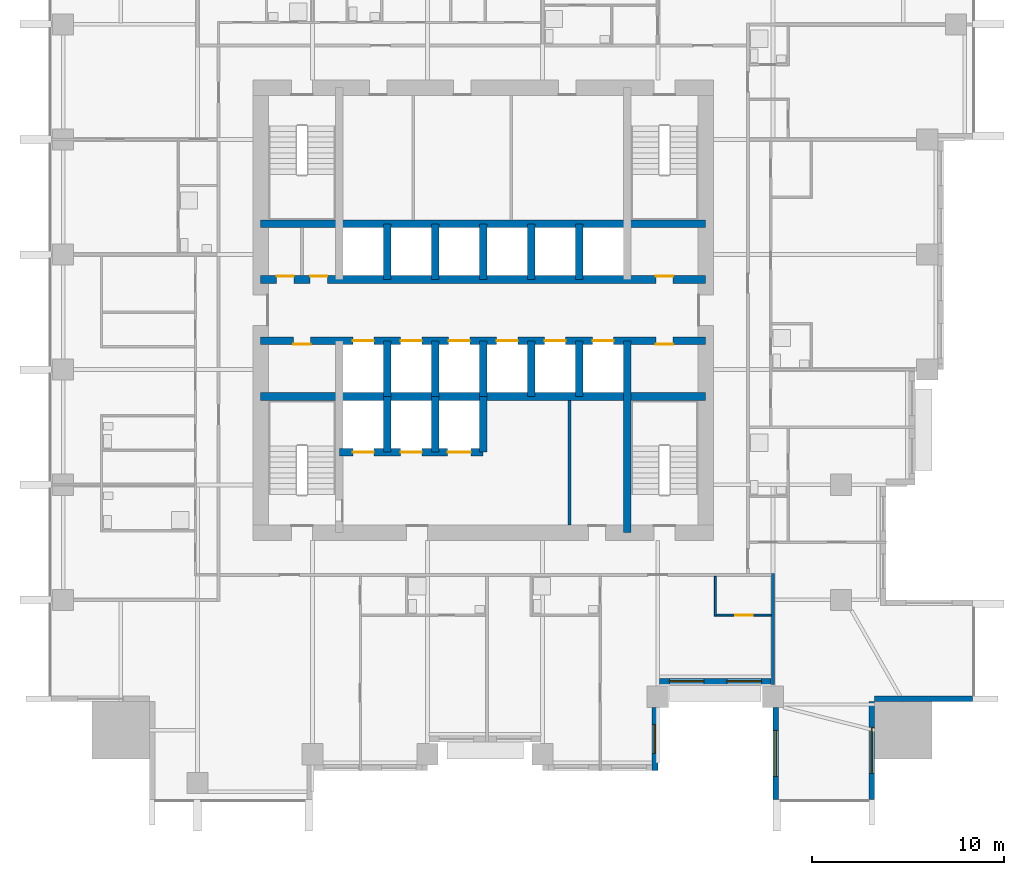
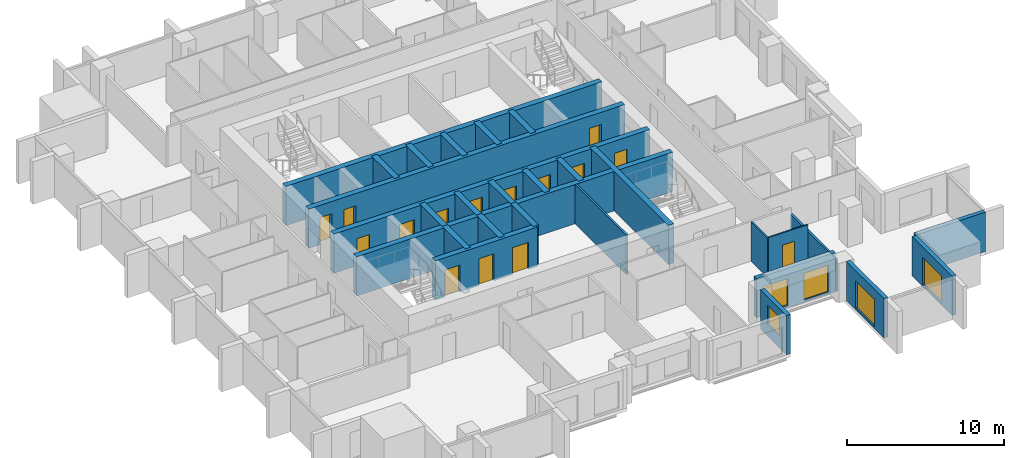
# One storey, part 5 of 10: 28 walls, 15 doors, 5 windows, 20 openings.
"""IFC4 building model written with IfcOpenShell, lengths in metres."""

from ifc_helpers import new_model, si_unit, direction, frame, frame_2d, origin, place, context, subcontext, project, spatial, rectangle, extrude, material, layer, layer_set, type_object, element, fill, save


model = new_model("IFC4")

# Units and contexts
model_context = context("Model", 3, precision=1e-05, world=origin(), true_north=direction((0.0, 1.0)))
body_context = subcontext(model_context, "Body", "Model", "MODEL_VIEW")
ifc_project = project(units=[si_unit("LENGTHUNIT", "METRE"), si_unit("AREAUNIT", "SQUARE_METRE"), si_unit("VOLUMEUNIT", "CUBIC_METRE"), si_unit("PLANEANGLEUNIT", "RADIAN"), si_unit("MASSUNIT", "GRAM", prefix="KILO")], contexts=[model_context])

# Site, building, storey
site_placement = place(None, origin())
site = spatial("IfcSite", under=ifc_project, at=site_placement, CompositionType="ELEMENT")
building_placement = place(site_placement, origin())
building = spatial("IfcBuilding", under=site, at=building_placement, Name="Amberfall Residences", CompositionType="ELEMENT")
storey_placement = place(building_placement, frame((0.0, 0.0, 118.300048828125)))
storey = spatial("IfcBuildingStorey", under=building, at=storey_placement, Name="L32", CompositionType="ELEMENT", Elevation=118.300048828125)

# Wall, opening, window
ifc_material_1 = material(Name="Pale stone cladding on insulated backing", Category="masonry")
ifc_layer_1 = layer(ifc_material_1, 0.300048828125)
ifc_layer_set_1 = layer_set([ifc_layer_1], Name="Bronze clad wall 300")
wall_type_1 = type_object("IfcWallType", Name="Bronze clad wall 300", PredefinedType="SOLIDWALL", material=ifc_layer_set_1)
wall_1_placement = place(storey_placement, frame((83.449951171875, 21.5, 0.0), z_axis=(0.0, 0.0, 1.0), x_axis=(0.0, 1.0, 0.0)))
wall_1 = element("IfcWall", 1, at=wall_1_placement, inside=storey, type_object=wall_type_1, Name="External wall L32 S", PredefinedType="SOLIDWALL", context=body_context, shape_type="SweptSolid", body=[
    extrude(rectangle(XDim=3.300048828125, YDim=0.300048828125, at=frame_2d((1.64990234375, 0.0))), origin(), (0.0, 0.0, 1.0), 3.050048828125),
])
opening_1_placement = place(wall_1_placement, frame((0.89990234375, 0.0, 0.89990234375)))
opening_1 = element("IfcOpeningElement", 2, at=opening_1_placement, cuts=wall_1, Name="Opening WN1", PredefinedType="OPENING", context=body_context, shape_type="SweptSolid", body=[
    extrude(rectangle(XDim=1.5, YDim=1.5, at=frame_2d((0.75, 0.75))), frame((0.0, 0.159912109375, 0.0), z_axis=(0.0, -1.0, 0.0), x_axis=(1.0, 0.0, 0.0)), (0.0, 0.0, 1.0), 0.320068359375),
])
ifc_material_2 = material(Name="Bronze aluminium framed glazing", Category="aluminium")
window_type_1 = type_object("IfcWindowType", Name="Window 1500 x 1500 bronze", PartitioningType="DOUBLE_PANEL_VERTICAL", PredefinedType="WINDOW", material=ifc_material_2)
window_1_placement = place(opening_1_placement, origin())
window_1 = element("IfcWindow", 3, at=window_1_placement, inside=storey, type_object=window_type_1, Name="Window L32 S", OverallHeight=1.5, OverallWidth=1.5, PartitioningType="DOUBLE_PANEL_VERTICAL", PredefinedType="WINDOW", context=body_context, shape_type="SweptSolid", body=[
    extrude(rectangle(XDim=1.5, YDim=1.5, at=frame_2d((0.75, 0.75))), frame((0.0, 0.030029296875, 0.0), z_axis=(0.0, -1.0, 0.0), x_axis=(1.0, 0.0, 0.0)), (0.0, 0.0, 1.0), 0.06005859375),
])
fill(opening_1, window_1)

wall_2_placement = place(storey_placement, frame((89.75, 24.800048828125, 0.0), z_axis=(0.0, 0.0, 1.0), x_axis=(0.0, -1.0, 0.0)))
wall_2 = element("IfcWall", 4, at=wall_2_placement, inside=storey, type_object=wall_type_1, Name="External wall L32 S", PredefinedType="SOLIDWALL", context=body_context, shape_type="SweptSolid", body=[
    extrude(rectangle(XDim=4.800048828125, YDim=0.300048828125, at=frame_2d((2.39990234375, 0.0))), origin(), (0.0, 0.0, 1.0), 3.050048828125),
])
opening_2_placement = place(wall_2_placement, frame((1.199951171875, 0.0, 0.14990234375)))
opening_2 = element("IfcOpeningElement", 5, at=opening_2_placement, cuts=wall_2, Name="Opening WN5", PredefinedType="OPENING", context=body_context, shape_type="SweptSolid", body=[
    extrude(rectangle(XDim=2.39990234375, YDim=2.10009765625, at=frame_2d((1.199951171875, 1.050048828125))), frame((0.0, 0.159912109375, 0.0), z_axis=(0.0, -1.0, 0.0), x_axis=(1.0, 0.0, 0.0)), (0.0, 0.0, 1.0), 0.320068359375),
])
window_type_2 = type_object("IfcWindowType", Name="Glazed opening 2400 x 2100 bronze", PartitioningType="DOUBLE_PANEL_VERTICAL", PredefinedType="WINDOW", material=ifc_material_2)
window_2_placement = place(opening_2_placement, origin())
window_2 = element("IfcWindow", 6, at=window_2_placement, inside=storey, type_object=window_type_2, Name="Window L32 S", OverallHeight=2.10009765625, OverallWidth=2.39990234375, PartitioningType="DOUBLE_PANEL_VERTICAL", PredefinedType="WINDOW", context=body_context, shape_type="SweptSolid", body=[
    extrude(rectangle(XDim=2.39990234375, YDim=2.10009765625, at=frame_2d((1.199951171875, 1.050048828125))), frame((0.0, 0.030029296875, 0.0), z_axis=(0.0, -1.0, 0.0), x_axis=(1.0, 0.0, 0.0)), (0.0, 0.0, 1.0), 0.06005859375),
])
fill(opening_2, window_2)

wall_3_placement = place(storey_placement, frame((94.75, 20.0, 0.0), z_axis=(0.0, 0.0, 1.0), x_axis=(0.0, 1.0, 0.0)))
wall_3 = element("IfcWall", 7, at=wall_3_placement, inside=storey, type_object=wall_type_1, Name="External wall L32 SE", PredefinedType="SOLIDWALL", context=body_context, shape_type="SweptSolid", body=[
    extrude(rectangle(XDim=5.10009765625, YDim=0.300048828125, at=frame_2d((2.550048828125, 0.0))), origin(), (0.0, 0.0, 1.0), 3.050048828125),
])
opening_3_placement = place(wall_3_placement, frame((1.35009765625, 0.0, 0.14990234375)))
opening_3 = element("IfcOpeningElement", 8, at=opening_3_placement, cuts=wall_3, Name="Opening WN5", PredefinedType="OPENING", context=body_context, shape_type="SweptSolid", body=[
    extrude(rectangle(XDim=2.39990234375, YDim=2.10009765625, at=frame_2d((1.199951171875, 1.050048828125))), frame((0.0, 0.159912109375, 0.0), z_axis=(0.0, -1.0, 0.0), x_axis=(1.0, 0.0, 0.0)), (0.0, 0.0, 1.0), 0.320068359375),
])
window_3_placement = place(opening_3_placement, origin())
window_3 = element("IfcWindow", 9, at=window_3_placement, inside=storey, type_object=window_type_2, Name="Window L32 SE", OverallHeight=2.10009765625, OverallWidth=2.39990234375, PartitioningType="DOUBLE_PANEL_VERTICAL", PredefinedType="WINDOW", context=body_context, shape_type="SweptSolid", body=[
    extrude(rectangle(XDim=2.39990234375, YDim=2.10009765625, at=frame_2d((1.199951171875, 1.050048828125))), frame((0.0, 0.030029296875, 0.0), z_axis=(0.0, -1.0, 0.0), x_axis=(1.0, 0.0, 0.0)), (0.0, 0.0, 1.0), 0.06005859375),
])
fill(opening_3, window_3)

# Wall
wall_4_placement = place(storey_placement, frame((94.89990234375, 25.25, 0.0), z_axis=(0.0, 0.0, 1.0), x_axis=(1.0, 0.0, 0.0)))
element("IfcWall", 10, at=wall_4_placement, inside=storey, type_object=wall_type_1, Name="External wall L32 SE", PredefinedType="SOLIDWALL", context=body_context, shape_type="SweptSolid", body=[
    extrude(rectangle(XDim=5.10009765625, YDim=0.300048828125, at=frame_2d((2.550048828125, 0.0))), origin(), (0.0, 0.0, 1.0), 3.050048828125),
])

# Wall, openings, windows
wall_5_placement = place(storey_placement, frame((83.699951171875, 26.14990234375, 0.0), z_axis=(0.0, 0.0, 1.0), x_axis=(1.0, 0.0, 0.0)))
wall_5 = element("IfcWall", 11, at=wall_5_placement, inside=storey, type_object=wall_type_1, Name="Stone wall L32 S", PredefinedType="SOLIDWALL", context=body_context, shape_type="SweptSolid", body=[
    extrude(rectangle(XDim=5.7900390625, YDim=0.300048828125, at=frame_2d((2.89501953125, 0.0))), origin(), (0.0, 0.0, 1.0), 3.050048828125),
])
opening_4_placement = place(wall_5_placement, frame((0.5, 0.0, 0.14990234375)))
opening_4 = element("IfcOpeningElement", 12, at=opening_4_placement, cuts=wall_5, Name="Opening WN6", PredefinedType="OPENING", context=body_context, shape_type="SweptSolid", body=[
    extrude(rectangle(XDim=1.800048828125, YDim=2.10009765625, at=frame_2d((0.89990234375, 1.050048828125))), frame((0.0, 0.159912109375, 0.0), z_axis=(0.0, -1.0, 0.0), x_axis=(1.0, 0.0, 0.0)), (0.0, 0.0, 1.0), 0.320068359375),
])
opening_5_placement = place(wall_5_placement, frame((3.5, 0.0, 0.14990234375)))
opening_5 = element("IfcOpeningElement", 13, at=opening_5_placement, cuts=wall_5, Name="Opening WN6", PredefinedType="OPENING", context=body_context, shape_type="SweptSolid", body=[
    extrude(rectangle(XDim=1.800048828125, YDim=2.10009765625, at=frame_2d((0.89990234375, 1.050048828125))), frame((0.0, 0.159912109375, 0.0), z_axis=(0.0, -1.0, 0.0), x_axis=(1.0, 0.0, 0.0)), (0.0, 0.0, 1.0), 0.320068359375),
])
window_type_3 = type_object("IfcWindowType", Name="Glazed opening 1800 x 2100 bronze", PartitioningType="DOUBLE_PANEL_VERTICAL", PredefinedType="WINDOW", material=ifc_material_2)
window_4_placement = place(opening_4_placement, origin())
window_4 = element("IfcWindow", 14, at=window_4_placement, inside=storey, type_object=window_type_3, Name="Window L32 S", OverallHeight=2.10009765625, OverallWidth=1.800048828125, PartitioningType="DOUBLE_PANEL_VERTICAL", PredefinedType="WINDOW", context=body_context, shape_type="SweptSolid", body=[
    extrude(rectangle(XDim=1.800048828125, YDim=2.10009765625, at=frame_2d((0.89990234375, 1.050048828125))), frame((0.0, 0.030029296875, 0.0), z_axis=(0.0, -1.0, 0.0), x_axis=(1.0, 0.0, 0.0)), (0.0, 0.0, 1.0), 0.06005859375),
])
fill(opening_4, window_4)
window_5_placement = place(opening_5_placement, origin())
window_5 = element("IfcWindow", 15, at=window_5_placement, inside=storey, type_object=window_type_3, Name="Window L32 S", OverallHeight=2.10009765625, OverallWidth=1.800048828125, PartitioningType="DOUBLE_PANEL_VERTICAL", PredefinedType="WINDOW", context=body_context, shape_type="SweptSolid", body=[
    extrude(rectangle(XDim=1.800048828125, YDim=2.10009765625, at=frame_2d((0.89990234375, 1.050048828125))), frame((0.0, 0.030029296875, 0.0), z_axis=(0.0, -1.0, 0.0), x_axis=(1.0, 0.0, 0.0)), (0.0, 0.0, 1.0), 0.06005859375),
])
fill(opening_5, window_5)

# Wall
ifc_material_3 = material(Name="Concrete C70", Category="concrete")
ifc_layer_2 = layer(ifc_material_3, 0.39990234375)
ifc_layer_set_2 = layer_set([ifc_layer_2], Name="Core wall 400 C70")
wall_type_2 = type_object("IfcWallType", Name="Core wall 400 C70", PredefinedType="SHEAR", material=ifc_layer_set_2)
wall_6_placement = place(storey_placement, frame((62.89990234375, 41.0, 0.0), z_axis=(0.0, 0.0, 1.0), x_axis=(1.0, 0.0, 0.0)))
element("IfcWall", 16, at=wall_6_placement, inside=storey, type_object=wall_type_2, Name="Core wall RW4 L32 H75", PredefinedType="SHEAR", context=body_context, shape_type="SweptSolid", body=[
    extrude(rectangle(XDim=23.2001953125, YDim=0.39990234375, at=frame_2d((11.60009765625, 0.0))), origin(), (0.0, 0.0, 1.0), 3.050048828125),
])

# Wall, openings, doors
wall_7_placement = place(storey_placement, frame((62.89990234375, 43.89990234375, 0.0), z_axis=(0.0, 0.0, 1.0), x_axis=(1.0, 0.0, 0.0)))
wall_7 = element("IfcWall", 17, at=wall_7_placement, inside=storey, type_object=wall_type_2, Name="Core wall RW4 L32 H104", PredefinedType="SHEAR", context=body_context, shape_type="SweptSolid", body=[
    extrude(rectangle(XDim=23.2001953125, YDim=0.39990234375, at=frame_2d((11.60009765625, 0.0))), origin(), (0.0, 0.0, 1.0), 3.050048828125),
])
opening_6_placement = place(wall_7_placement, frame((1.699951171875, 0.0, 0.0)))
opening_6 = element("IfcOpeningElement", 18, at=opening_6_placement, cuts=wall_7, Name="Opening RD1", PredefinedType="OPENING", context=body_context, shape_type="SweptSolid", body=[
    extrude(rectangle(XDim=0.89990234375, YDim=2.10009765625, at=frame_2d((0.449951171875, 1.050048828125))), frame((0.0, 0.2099609375, 0.0), z_axis=(0.0, -1.0, 0.0), x_axis=(1.0, 0.0, 0.0)), (0.0, 0.0, 1.0), 0.419921875),
])
opening_7_placement = place(wall_7_placement, frame((20.60009765625, 0.0, 0.0)))
opening_7 = element("IfcOpeningElement", 19, at=opening_7_placement, cuts=wall_7, Name="Opening RD1", PredefinedType="OPENING", context=body_context, shape_type="SweptSolid", body=[
    extrude(rectangle(XDim=0.89990234375, YDim=2.10009765625, at=frame_2d((0.449951171875, 1.050048828125))), frame((0.0, 0.2099609375, 0.0), z_axis=(0.0, -1.0, 0.0), x_axis=(1.0, 0.0, 0.0)), (0.0, 0.0, 1.0), 0.419921875),
])
opening_8_placement = place(wall_7_placement, frame((4.800048828125, 0.0, 0.0)))
opening_8 = element("IfcOpeningElement", 20, at=opening_8_placement, cuts=wall_7, Name="Opening LD1", PredefinedType="OPENING", context=body_context, shape_type="SweptSolid", body=[
    extrude(rectangle(XDim=1.10009765625, YDim=2.10009765625, at=frame_2d((0.550048828125, 1.050048828125))), frame((0.0, 0.2099609375, 0.0), z_axis=(0.0, -1.0, 0.0), x_axis=(1.0, 0.0, 0.0)), (0.0, 0.0, 1.0), 0.419921875),
])
opening_9_placement = place(wall_7_placement, frame((7.300048828125, 0.0, 0.0)))
opening_9 = element("IfcOpeningElement", 21, at=opening_9_placement, cuts=wall_7, Name="Opening LD1", PredefinedType="OPENING", context=body_context, shape_type="SweptSolid", body=[
    extrude(rectangle(XDim=1.10009765625, YDim=2.10009765625, at=frame_2d((0.550048828125, 1.050048828125))), frame((0.0, 0.2099609375, 0.0), z_axis=(0.0, -1.0, 0.0), x_axis=(1.0, 0.0, 0.0)), (0.0, 0.0, 1.0), 0.419921875),
])
opening_10_placement = place(wall_7_placement, frame((9.800048828125, 0.0, 0.0)))
opening_10 = element("IfcOpeningElement", 22, at=opening_10_placement, cuts=wall_7, Name="Opening LD1", PredefinedType="OPENING", context=body_context, shape_type="SweptSolid", body=[
    extrude(rectangle(XDim=1.10009765625, YDim=2.10009765625, at=frame_2d((0.550048828125, 1.050048828125))), frame((0.0, 0.2099609375, 0.0), z_axis=(0.0, -1.0, 0.0), x_axis=(1.0, 0.0, 0.0)), (0.0, 0.0, 1.0), 0.419921875),
])
opening_11_placement = place(wall_7_placement, frame((12.300048828125, 0.0, 0.0)))
opening_11 = element("IfcOpeningElement", 23, at=opening_11_placement, cuts=wall_7, Name="Opening LD1", PredefinedType="OPENING", context=body_context, shape_type="SweptSolid", body=[
    extrude(rectangle(XDim=1.10009765625, YDim=2.10009765625, at=frame_2d((0.550048828125, 1.050048828125))), frame((0.0, 0.2099609375, 0.0), z_axis=(0.0, -1.0, 0.0), x_axis=(1.0, 0.0, 0.0)), (0.0, 0.0, 1.0), 0.419921875),
])
opening_12_placement = place(wall_7_placement, frame((14.800048828125, 0.0, 0.0)))
opening_12 = element("IfcOpeningElement", 24, at=opening_12_placement, cuts=wall_7, Name="Opening LD1", PredefinedType="OPENING", context=body_context, shape_type="SweptSolid", body=[
    extrude(rectangle(XDim=1.10009765625, YDim=2.10009765625, at=frame_2d((0.550048828125, 1.050048828125))), frame((0.0, 0.2099609375, 0.0), z_axis=(0.0, -1.0, 0.0), x_axis=(1.0, 0.0, 0.0)), (0.0, 0.0, 1.0), 0.419921875),
])
opening_13_placement = place(wall_7_placement, frame((17.300048828125, 0.0, 0.0)))
opening_13 = element("IfcOpeningElement", 25, at=opening_13_placement, cuts=wall_7, Name="Opening LD1", PredefinedType="OPENING", context=body_context, shape_type="SweptSolid", body=[
    extrude(rectangle(XDim=1.10009765625, YDim=2.10009765625, at=frame_2d((0.550048828125, 1.050048828125))), frame((0.0, 0.2099609375, 0.0), z_axis=(0.0, -1.0, 0.0), x_axis=(1.0, 0.0, 0.0)), (0.0, 0.0, 1.0), 0.419921875),
])
ifc_material_4 = material(Name="Steel fire door set", Category="steel")
door_type_1 = type_object("IfcDoorType", Name="Lift landing door 1100 x 2100", OperationType="DOUBLE_DOOR_SLIDING", PredefinedType="DOOR", material=ifc_material_4)
door_1_placement = place(opening_8_placement, origin())
door_1 = element("IfcDoor", 26, at=door_1_placement, inside=storey, type_object=door_type_1, Name="Landing door LP1 L32", OperationType="DOUBLE_DOOR_SLIDING", OverallHeight=2.10009765625, OverallWidth=1.10009765625, PredefinedType="DOOR", context=body_context, shape_type="SweptSolid", body=[
    extrude(rectangle(XDim=1.10009765625, YDim=2.10009765625, at=frame_2d((0.550048828125, 1.050048828125))), frame((0.0, 0.02490234375, 0.0), z_axis=(0.0, -1.0, 0.0), x_axis=(1.0, 0.0, 0.0)), (0.0, 0.0, 1.0), 0.050048828125),
])
fill(opening_8, door_1)
door_2_placement = place(opening_9_placement, origin())
door_2 = element("IfcDoor", 27, at=door_2_placement, inside=storey, type_object=door_type_1, Name="Landing door LP2 L32", OperationType="DOUBLE_DOOR_SLIDING", OverallHeight=2.10009765625, OverallWidth=1.10009765625, PredefinedType="DOOR", context=body_context, shape_type="SweptSolid", body=[
    extrude(rectangle(XDim=1.10009765625, YDim=2.10009765625, at=frame_2d((0.550048828125, 1.050048828125))), frame((0.0, 0.02490234375, 0.0), z_axis=(0.0, -1.0, 0.0), x_axis=(1.0, 0.0, 0.0)), (0.0, 0.0, 1.0), 0.050048828125),
])
fill(opening_9, door_2)
door_3_placement = place(opening_10_placement, origin())
door_3 = element("IfcDoor", 28, at=door_3_placement, inside=storey, type_object=door_type_1, Name="Landing door LP3 L32", OperationType="DOUBLE_DOOR_SLIDING", OverallHeight=2.10009765625, OverallWidth=1.10009765625, PredefinedType="DOOR", context=body_context, shape_type="SweptSolid", body=[
    extrude(rectangle(XDim=1.10009765625, YDim=2.10009765625, at=frame_2d((0.550048828125, 1.050048828125))), frame((0.0, 0.02490234375, 0.0), z_axis=(0.0, -1.0, 0.0), x_axis=(1.0, 0.0, 0.0)), (0.0, 0.0, 1.0), 0.050048828125),
])
fill(opening_10, door_3)
door_4_placement = place(opening_11_placement, origin())
door_4 = element("IfcDoor", 29, at=door_4_placement, inside=storey, type_object=door_type_1, Name="Landing door LP4 L32", OperationType="DOUBLE_DOOR_SLIDING", OverallHeight=2.10009765625, OverallWidth=1.10009765625, PredefinedType="DOOR", context=body_context, shape_type="SweptSolid", body=[
    extrude(rectangle(XDim=1.10009765625, YDim=2.10009765625, at=frame_2d((0.550048828125, 1.050048828125))), frame((0.0, 0.02490234375, 0.0), z_axis=(0.0, -1.0, 0.0), x_axis=(1.0, 0.0, 0.0)), (0.0, 0.0, 1.0), 0.050048828125),
])
fill(opening_11, door_4)
door_5_placement = place(opening_12_placement, origin())
door_5 = element("IfcDoor", 30, at=door_5_placement, inside=storey, type_object=door_type_1, Name="Landing door LP5 L32", OperationType="DOUBLE_DOOR_SLIDING", OverallHeight=2.10009765625, OverallWidth=1.10009765625, PredefinedType="DOOR", context=body_context, shape_type="SweptSolid", body=[
    extrude(rectangle(XDim=1.10009765625, YDim=2.10009765625, at=frame_2d((0.550048828125, 1.050048828125))), frame((0.0, 0.02490234375, 0.0), z_axis=(0.0, -1.0, 0.0), x_axis=(1.0, 0.0, 0.0)), (0.0, 0.0, 1.0), 0.050048828125),
])
fill(opening_12, door_5)
door_6_placement = place(opening_13_placement, origin())
door_6 = element("IfcDoor", 31, at=door_6_placement, inside=storey, type_object=door_type_1, Name="Landing door LP6 L32", OperationType="DOUBLE_DOOR_SLIDING", OverallHeight=2.10009765625, OverallWidth=1.10009765625, PredefinedType="DOOR", context=body_context, shape_type="SweptSolid", body=[
    extrude(rectangle(XDim=1.10009765625, YDim=2.10009765625, at=frame_2d((0.550048828125, 1.050048828125))), frame((0.0, 0.02490234375, 0.0), z_axis=(0.0, -1.0, 0.0), x_axis=(1.0, 0.0, 0.0)), (0.0, 0.0, 1.0), 0.050048828125),
])
fill(opening_13, door_6)
door_type_2 = type_object("IfcDoorType", Name="Service room door 900 x 2100", OperationType="SINGLE_SWING_LEFT", PredefinedType="DOOR", material=ifc_material_4)
door_7_placement = place(opening_6_placement, origin())
door_7 = element("IfcDoor", 32, at=door_7_placement, inside=storey, type_object=door_type_2, Name="RD1 L32", OperationType="SINGLE_SWING_LEFT", OverallHeight=2.10009765625, OverallWidth=0.89990234375, PredefinedType="DOOR", context=body_context, shape_type="SweptSolid", body=[
    extrude(rectangle(XDim=0.89990234375, YDim=2.10009765625, at=frame_2d((0.449951171875, 1.050048828125))), frame((0.0, -0.1376953125, 0.0), z_axis=(0.0, -1.0, 0.0), x_axis=(1.0, 0.0, 0.0)), (0.0, 0.0, 1.0), 0.050048828125),
])
fill(opening_6, door_7)
door_8_placement = place(opening_7_placement, origin())
door_8 = element("IfcDoor", 33, at=door_8_placement, inside=storey, type_object=door_type_2, Name="RD1 L32", OperationType="SINGLE_SWING_LEFT", OverallHeight=2.10009765625, OverallWidth=0.89990234375, PredefinedType="DOOR", context=body_context, shape_type="SweptSolid", body=[
    extrude(rectangle(XDim=0.89990234375, YDim=2.10009765625, at=frame_2d((0.449951171875, 1.050048828125))), frame((0.0, -0.1376953125, 0.0), z_axis=(0.0, -1.0, 0.0), x_axis=(1.0, 0.0, 0.0)), (0.0, 0.0, 1.0), 0.050048828125),
])
fill(opening_7, door_8)

wall_8_placement = place(storey_placement, frame((62.89990234375, 47.10009765625, 0.0), z_axis=(0.0, 0.0, 1.0), x_axis=(1.0, 0.0, 0.0)))
wall_8 = element("IfcWall", 34, at=wall_8_placement, inside=storey, type_object=wall_type_2, Name="Core wall RW4 L32 H136", PredefinedType="SHEAR", context=body_context, shape_type="SweptSolid", body=[
    extrude(rectangle(XDim=23.2001953125, YDim=0.39990234375, at=frame_2d((11.60009765625, 0.0))), origin(), (0.0, 0.0, 1.0), 3.050048828125),
])
opening_14_placement = place(wall_8_placement, frame((0.824951171875, 0.0, 0.0)))
opening_14 = element("IfcOpeningElement", 35, at=opening_14_placement, cuts=wall_8, Name="Opening RD1", PredefinedType="OPENING", context=body_context, shape_type="SweptSolid", body=[
    extrude(rectangle(XDim=0.89990234375, YDim=2.10009765625, at=frame_2d((0.449951171875, 1.050048828125))), frame((0.0, 0.2099609375, 0.0), z_axis=(0.0, -1.0, 0.0), x_axis=(1.0, 0.0, 0.0)), (0.0, 0.0, 1.0), 0.419921875),
])
opening_15_placement = place(wall_8_placement, frame((2.574951171875, 0.0, 0.0)))
opening_15 = element("IfcOpeningElement", 36, at=opening_15_placement, cuts=wall_8, Name="Opening RD1", PredefinedType="OPENING", context=body_context, shape_type="SweptSolid", body=[
    extrude(rectangle(XDim=0.89990234375, YDim=2.10009765625, at=frame_2d((0.449951171875, 1.050048828125))), frame((0.0, 0.2099609375, 0.0), z_axis=(0.0, -1.0, 0.0), x_axis=(1.0, 0.0, 0.0)), (0.0, 0.0, 1.0), 0.419921875),
])
opening_16_placement = place(wall_8_placement, frame((20.60009765625, 0.0, 0.0)))
opening_16 = element("IfcOpeningElement", 37, at=opening_16_placement, cuts=wall_8, Name="Opening RD1", PredefinedType="OPENING", context=body_context, shape_type="SweptSolid", body=[
    extrude(rectangle(XDim=0.89990234375, YDim=2.10009765625, at=frame_2d((0.449951171875, 1.050048828125))), frame((0.0, 0.2099609375, 0.0), z_axis=(0.0, -1.0, 0.0), x_axis=(1.0, 0.0, 0.0)), (0.0, 0.0, 1.0), 0.419921875),
])
door_9_placement = place(opening_14_placement, origin())
door_9 = element("IfcDoor", 38, at=door_9_placement, inside=storey, type_object=door_type_2, Name="RD1 L32", OperationType="SINGLE_SWING_LEFT", OverallHeight=2.10009765625, OverallWidth=0.89990234375, PredefinedType="DOOR", context=body_context, shape_type="SweptSolid", body=[
    extrude(rectangle(XDim=0.89990234375, YDim=2.10009765625, at=frame_2d((0.449951171875, 1.050048828125))), frame((0.0, 0.1875, 0.0), z_axis=(0.0, -1.0, 0.0), x_axis=(1.0, 0.0, 0.0)), (0.0, 0.0, 1.0), 0.050048828125),
])
fill(opening_14, door_9)
door_10_placement = place(opening_15_placement, origin())
door_10 = element("IfcDoor", 39, at=door_10_placement, inside=storey, type_object=door_type_2, Name="RD1 L32", OperationType="SINGLE_SWING_RIGHT", OverallHeight=2.10009765625, OverallWidth=0.89990234375, PredefinedType="DOOR", context=body_context, shape_type="SweptSolid", body=[
    extrude(rectangle(XDim=0.89990234375, YDim=2.10009765625, at=frame_2d((0.449951171875, 1.050048828125))), frame((0.0, 0.1875, 0.0), z_axis=(0.0, -1.0, 0.0), x_axis=(1.0, 0.0, 0.0)), (0.0, 0.0, 1.0), 0.050048828125),
])
fill(opening_15, door_10)
door_11_placement = place(opening_16_placement, origin())
door_11 = element("IfcDoor", 40, at=door_11_placement, inside=storey, type_object=door_type_2, Name="RD1 L32", OperationType="SINGLE_SWING_LEFT", OverallHeight=2.10009765625, OverallWidth=0.89990234375, PredefinedType="DOOR", context=body_context, shape_type="SweptSolid", body=[
    extrude(rectangle(XDim=0.89990234375, YDim=2.10009765625, at=frame_2d((0.449951171875, 1.050048828125))), frame((0.0, 0.1875, 0.0), z_axis=(0.0, -1.0, 0.0), x_axis=(1.0, 0.0, 0.0)), (0.0, 0.0, 1.0), 0.050048828125),
])
fill(opening_16, door_11)

# Walls
wall_9_placement = place(storey_placement, frame((62.89990234375, 50.0, 0.0), z_axis=(0.0, 0.0, 1.0), x_axis=(1.0, 0.0, 0.0)))
element("IfcWall", 41, at=wall_9_placement, inside=storey, type_object=wall_type_2, Name="Core wall RW4 L32 H165", PredefinedType="SHEAR", context=body_context, shape_type="SweptSolid", body=[
    extrude(rectangle(XDim=23.2001953125, YDim=0.39990234375, at=frame_2d((11.60009765625, 0.0))), origin(), (0.0, 0.0, 1.0), 3.050048828125),
])
wall_10_placement = place(storey_placement, frame((82.0, 33.89990234375, 0.0), z_axis=(0.0, 0.0, 1.0), x_axis=(0.0, 1.0, 0.0)))
element("IfcWall", 42, at=wall_10_placement, inside=storey, type_object=wall_type_2, Name="Core wall RW4 L32 V195S", PredefinedType="SHEAR", context=body_context, shape_type="SweptSolid", body=[
    extrude(rectangle(XDim=10.0, YDim=0.39990234375, at=frame_2d((5.0, 0.0))), origin(), (0.0, 0.0, 1.0), 3.050048828125),
])
for number, where, z_axis, x_axis, name in (
    (43, (69.5, 41.0, 0.0), (0.0, 0.0, 1.0), (0.0, 1.0, 0.0), "Core wall RW4 L32 LPD1"),
    (44, (69.5, 47.10009765625, 0.0), (0.0, 0.0, 1.0), (0.0, 1.0, 0.0), "Core wall RW4 L32 HPD1"),
    (45, (72.0, 41.0, 0.0), (0.0, 0.0, 1.0), (0.0, 1.0, 0.0), "Core wall RW4 L32 LPD2"),
    (46, (72.0, 47.10009765625, 0.0), (0.0, 0.0, 1.0), (0.0, 1.0, 0.0), "Core wall RW4 L32 HPD2"),
    (47, (74.5, 41.0, 0.0), (0.0, 0.0, 1.0), (0.0, 1.0, 0.0), "Core wall RW4 L32 LPD3"),
    (48, (74.5, 47.10009765625, 0.0), (0.0, 0.0, 1.0), (0.0, 1.0, 0.0), "Core wall RW4 L32 HPD3"),
    (49, (77.0, 41.0, 0.0), (0.0, 0.0, 1.0), (0.0, 1.0, 0.0), "Core wall RW4 L32 LPD4"),
    (50, (77.0, 47.10009765625, 0.0), (0.0, 0.0, 1.0), (0.0, 1.0, 0.0), "Core wall RW4 L32 HPD4"),
    (51, (79.5, 41.0, 0.0), (0.0, 0.0, 1.0), (0.0, 1.0, 0.0), "Core wall RW4 L32 LPD5"),
    (52, (79.5, 47.10009765625, 0.0), (0.0, 0.0, 1.0), (0.0, 1.0, 0.0), "Core wall RW4 L32 HPD5"),
):
    element("IfcWall", number, at=place(storey_placement, frame(where, z_axis=z_axis, x_axis=x_axis)), inside=storey, type_object=wall_type_2, Name=name, PredefinedType="SHEAR", context=body_context, shape_type="SweptSolid", body=[
        extrude(rectangle(XDim=2.89990234375, YDim=0.39990234375, at=frame_2d((1.449951171875, 0.0))), origin(), (0.0, 0.0, 1.0), 3.050048828125),
    ])

# Wall, openings, doors
wall_11_placement = place(storey_placement, frame((67.0, 38.10009765625, 0.0), z_axis=(0.0, 0.0, 1.0), x_axis=(1.0, 0.0, 0.0)))
wall_11 = element("IfcWall", 53, at=wall_11_placement, inside=storey, type_object=wall_type_2, Name="Core wall RW4 L32 FFF", PredefinedType="SHEAR", context=body_context, shape_type="SweptSolid", body=[
    extrude(rectangle(XDim=7.5, YDim=0.39990234375, at=frame_2d((3.75, 0.0))), origin(), (0.0, 0.0, 1.0), 3.050048828125),
])
opening_17_placement = place(wall_11_placement, frame((0.699951171875, 0.0, 0.0)))
opening_17 = element("IfcOpeningElement", 54, at=opening_17_placement, cuts=wall_11, Name="Opening LD2", PredefinedType="OPENING", context=body_context, shape_type="SweptSolid", body=[
    extrude(rectangle(XDim=1.10009765625, YDim=2.10009765625, at=frame_2d((0.550048828125, 1.050048828125))), frame((0.0, 0.2099609375, 0.0), z_axis=(0.0, -1.0, 0.0), x_axis=(1.0, 0.0, 0.0)), (0.0, 0.0, 1.0), 0.419921875),
])
opening_18_placement = place(wall_11_placement, frame((3.199951171875, 0.0, 0.0)))
opening_18 = element("IfcOpeningElement", 55, at=opening_18_placement, cuts=wall_11, Name="Opening LD2", PredefinedType="OPENING", context=body_context, shape_type="SweptSolid", body=[
    extrude(rectangle(XDim=1.10009765625, YDim=2.10009765625, at=frame_2d((0.550048828125, 1.050048828125))), frame((0.0, 0.2099609375, 0.0), z_axis=(0.0, -1.0, 0.0), x_axis=(1.0, 0.0, 0.0)), (0.0, 0.0, 1.0), 0.419921875),
])
opening_19_placement = place(wall_11_placement, frame((5.64990234375, 0.0, 0.0)))
opening_19 = element("IfcOpeningElement", 56, at=opening_19_placement, cuts=wall_11, Name="Opening LD3", PredefinedType="OPENING", context=body_context, shape_type="SweptSolid", body=[
    extrude(rectangle(XDim=1.199951171875, YDim=2.10009765625, at=frame_2d((0.60009765625, 1.050048828125))), frame((0.0, 0.2099609375, 0.0), z_axis=(0.0, -1.0, 0.0), x_axis=(1.0, 0.0, 0.0)), (0.0, 0.0, 1.0), 0.419921875),
])
door_type_3 = type_object("IfcDoorType", Name="Firefighting lift landing door 1100 x 2100", OperationType="DOUBLE_DOOR_SLIDING", PredefinedType="DOOR", material=ifc_material_4)
door_12_placement = place(opening_17_placement, origin())
door_12 = element("IfcDoor", 57, at=door_12_placement, inside=storey, type_object=door_type_3, Name="Landing door FF1 L32", OperationType="DOUBLE_DOOR_SLIDING", OverallHeight=2.10009765625, OverallWidth=1.10009765625, PredefinedType="DOOR", context=body_context, shape_type="SweptSolid", body=[
    extrude(rectangle(XDim=1.10009765625, YDim=2.10009765625, at=frame_2d((0.550048828125, 1.050048828125))), frame((0.0, 0.02490234375, 0.0), z_axis=(0.0, -1.0, 0.0), x_axis=(1.0, 0.0, 0.0)), (0.0, 0.0, 1.0), 0.050048828125),
])
fill(opening_17, door_12)
door_13_placement = place(opening_18_placement, origin())
door_13 = element("IfcDoor", 58, at=door_13_placement, inside=storey, type_object=door_type_3, Name="Landing door FF2 L32", OperationType="DOUBLE_DOOR_SLIDING", OverallHeight=2.10009765625, OverallWidth=1.10009765625, PredefinedType="DOOR", context=body_context, shape_type="SweptSolid", body=[
    extrude(rectangle(XDim=1.10009765625, YDim=2.10009765625, at=frame_2d((0.550048828125, 1.050048828125))), frame((0.0, 0.02490234375, 0.0), z_axis=(0.0, -1.0, 0.0), x_axis=(1.0, 0.0, 0.0)), (0.0, 0.0, 1.0), 0.050048828125),
])
fill(opening_18, door_13)
door_type_4 = type_object("IfcDoorType", Name="Service lift landing door 1200 x 2100", OperationType="DOUBLE_DOOR_SLIDING", PredefinedType="DOOR", material=ifc_material_4)
door_14_placement = place(opening_19_placement, origin())
door_14 = element("IfcDoor", 59, at=door_14_placement, inside=storey, type_object=door_type_4, Name="Landing door SL1 L32", OperationType="DOUBLE_DOOR_SLIDING", OverallHeight=2.10009765625, OverallWidth=1.199951171875, PredefinedType="DOOR", context=body_context, shape_type="SweptSolid", body=[
    extrude(rectangle(XDim=1.199951171875, YDim=2.10009765625, at=frame_2d((0.60009765625, 1.050048828125))), frame((0.0, 0.02490234375, 0.0), z_axis=(0.0, -1.0, 0.0), x_axis=(1.0, 0.0, 0.0)), (0.0, 0.0, 1.0), 0.050048828125),
])
fill(opening_19, door_14)

# Walls
for number, where, z_axis, x_axis, name in (
    (60, (69.5, 38.10009765625, 0.0), (0.0, 0.0, 1.0), (0.0, 1.0, 0.0), "Core wall RW4 L32 FFD1"),
    (61, (72.0, 38.10009765625, 0.0), (0.0, 0.0, 1.0), (0.0, 1.0, 0.0), "Core wall RW4 L32 FFD2"),
    (62, (74.5, 38.10009765625, 0.0), (0.0, 0.0, 1.0), (0.0, 1.0, 0.0), "Core wall RW4 L32 FFD3"),
):
    element("IfcWall", number, at=place(storey_placement, frame(where, z_axis=z_axis, x_axis=x_axis)), inside=storey, type_object=wall_type_2, Name=name, PredefinedType="SHEAR", context=body_context, shape_type="SweptSolid", body=[
        extrude(rectangle(XDim=2.89990234375, YDim=0.39990234375, at=frame_2d((1.449951171875, 0.0))), origin(), (0.0, 0.0, 1.0), 3.050048828125),
    ])
ifc_material_5 = material(Name="Gypsum board on metal stud")
ifc_layer_3 = layer(ifc_material_5, 0.10009765625)
ifc_layer_set_3 = layer_set([ifc_layer_3], Name="Flat partition 100")
wall_type_3 = type_object("IfcWallType", Name="Flat partition 100", PredefinedType="PARTITIONING", material=ifc_layer_set_3)
wall_12_placement = place(storey_placement, frame((86.60009765625, 29.550048828125, 0.0), z_axis=(0.0, 0.0, 1.0), x_axis=(0.0, 1.0, 0.0)))
element("IfcWall", 63, at=wall_12_placement, inside=storey, type_object=wall_type_3, Name="Partition 018", PredefinedType="PARTITIONING", context=body_context, shape_type="SweptSolid", body=[
    extrude(rectangle(XDim=2.074951171875, YDim=0.10009765625, at=frame_2d((1.03759765625, 0.0))), origin(), (0.0, 0.0, 1.0), 3.050048828125),
])

# Wall, opening, door
wall_13_placement = place(storey_placement, frame((86.64990234375, 29.60009765625, 0.0), z_axis=(0.0, 0.0, 1.0), x_axis=(1.0, 0.0, 0.0)))
wall_13 = element("IfcWall", 64, at=wall_13_placement, inside=storey, type_object=wall_type_3, Name="Partition 047", PredefinedType="PARTITIONING", context=body_context, shape_type="SweptSolid", body=[
    extrude(rectangle(XDim=2.875, YDim=0.10009765625, at=frame_2d((1.4375, 0.0))), origin(), (0.0, 0.0, 1.0), 3.050048828125),
])
opening_20_placement = place(wall_13_placement, frame((1.0, 0.0, 0.0)))
opening_20 = element("IfcOpeningElement", 65, at=opening_20_placement, cuts=wall_13, Name="Opening D41", PredefinedType="OPENING", context=body_context, shape_type="SweptSolid", body=[
    extrude(rectangle(XDim=0.89990234375, YDim=2.10009765625, at=frame_2d((0.449951171875, 1.050048828125))), frame((0.0, 0.06005859375, 0.0), z_axis=(0.0, -1.0, 0.0), x_axis=(1.0, 0.0, 0.0)), (0.0, 0.0, 1.0), 0.1201171875),
])
ifc_material_6 = material(Name="Timber", Category="wood")
door_type_5 = type_object("IfcDoorType", Name="Internal door 900 x 2100", OperationType="SINGLE_SWING_LEFT", PredefinedType="DOOR", material=ifc_material_6)
door_15_placement = place(opening_20_placement, origin())
door_15 = element("IfcDoor", 66, at=door_15_placement, inside=storey, type_object=door_type_5, Name="Door 3202 kitchen", OperationType="SINGLE_SWING_LEFT", OverallHeight=2.10009765625, OverallWidth=0.89990234375, PredefinedType="DOOR", context=body_context, shape_type="SweptSolid", body=[
    extrude(rectangle(XDim=0.89990234375, YDim=2.10009765625, at=frame_2d((0.449951171875, 1.050048828125))), frame((0.0, 0.02490234375, 0.0), z_axis=(0.0, -1.0, 0.0), x_axis=(1.0, 0.0, 0.0)), (0.0, 0.0, 1.0), 0.050048828125),
])
fill(opening_20, door_15)

# Walls
ifc_material_7 = material(Name="Blockwork, plastered", Category="masonry")
ifc_layer_4 = layer(ifc_material_7, 0.14990234375)
ifc_layer_set_4 = layer_set([ifc_layer_4], Name="Flat separating wall 150")
wall_type_4 = type_object("IfcWallType", Name="Flat separating wall 150", PredefinedType="PARTITIONING", material=ifc_layer_set_4)
wall_14_placement = place(storey_placement, frame((89.60009765625, 26.0, 0.0), z_axis=(0.0, 0.0, 1.0), x_axis=(0.0, 1.0, 0.0)))
element("IfcWall", 67, at=wall_14_placement, inside=storey, type_object=wall_type_4, Name="Separating wall 053", PredefinedType="PARTITIONING", context=body_context, shape_type="SweptSolid", body=[
    extrude(rectangle(XDim=5.77490234375, YDim=0.14990234375, at=frame_2d((2.887451171875, 0.0))), origin(), (0.0, 0.0, 1.0), 2.515869140625),
])
ifc_material_8 = material(Name="Concrete blockwork", Category="masonry")
ifc_layer_5 = layer(ifc_material_8, 0.14990234375)
ifc_layer_set_5 = layer_set([ifc_layer_5], Name="Riser wall 150")
wall_type_5 = type_object("IfcWallType", Name="Riser wall 150", PredefinedType="PLUMBINGWALL", material=ifc_layer_set_5)
wall_15_placement = place(storey_placement, frame((79.0, 34.300048828125, 0.0), z_axis=(0.0, 0.0, 1.0), x_axis=(0.0, 1.0, 0.0)))
element("IfcWall", 68, at=wall_15_placement, inside=storey, type_object=wall_type_5, Name="L32 core wall PX", PredefinedType="PLUMBINGWALL", context=body_context, shape_type="SweptSolid", body=[
    extrude(rectangle(XDim=6.5, YDim=0.14990234375, at=frame_2d((3.25, 0.0))), origin(), (0.0, 0.0, 1.0), 3.050048828125),
])

save(model, "model.ifc")
